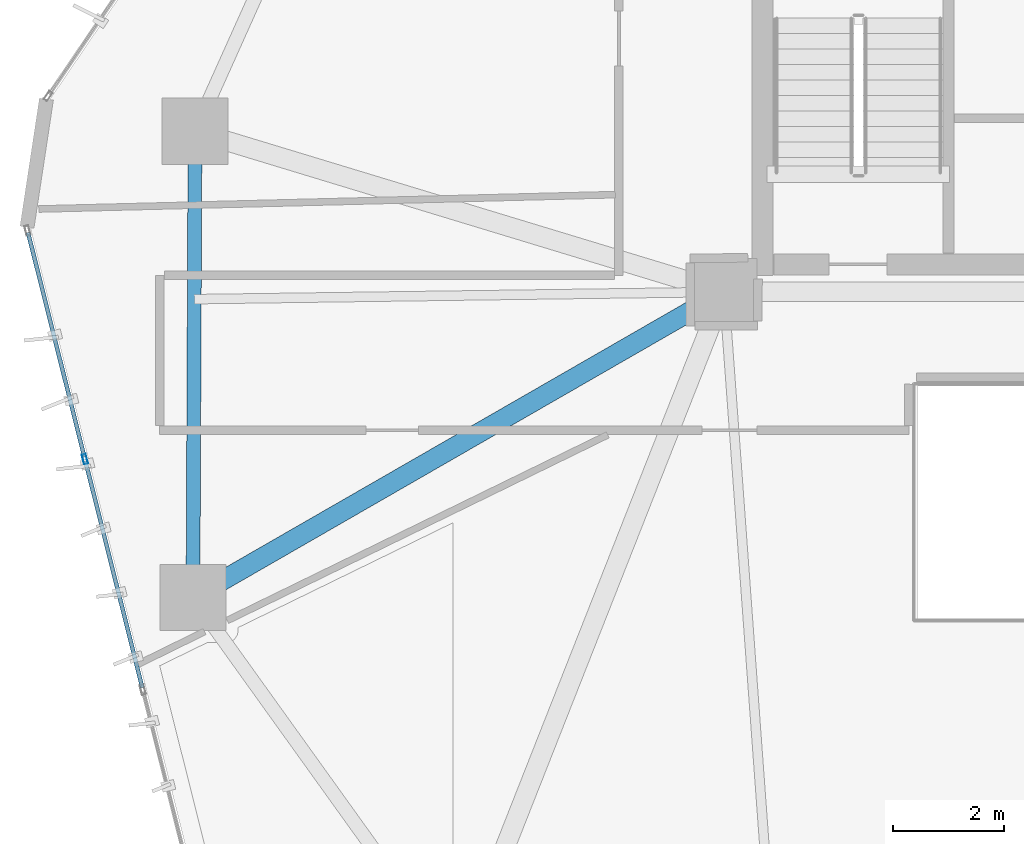
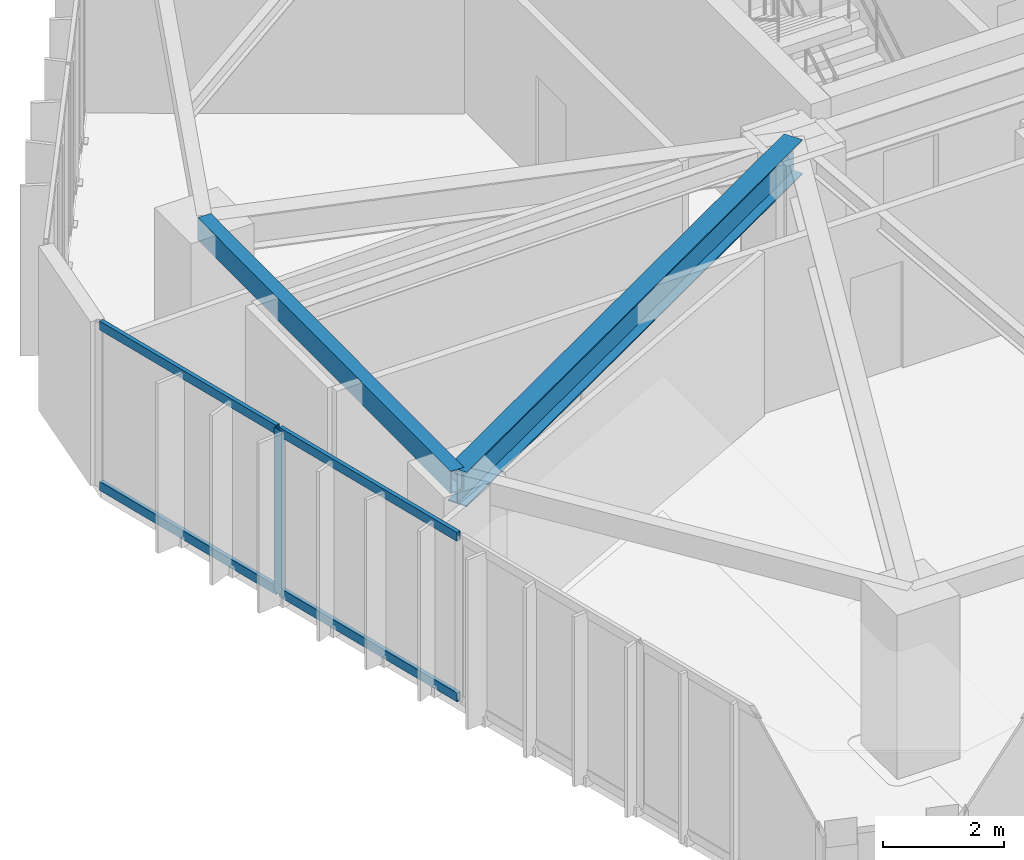
# One storey, part 4 of 22: 5 members, 2 beams, 1 element without a shape of its own.
"""IFC4 building model written with IfcOpenShell, lengths in metres."""

from ifc_helpers import new_model, si_unit, direction, frame, origin, origin_2d, place, context, subcontext, project, spatial, hollow_rectangle, i_section, extrude, source, transform, mapped, material, layer, layer_set, material_profile, profile_set, type_object, type_shapes, element, aggregate, save


model = new_model("IFC4")

# Units and contexts
model_context = context("Model", 3, precision=1e-05, world=origin(), true_north=direction((0.0, 1.0)))
body_context = subcontext(model_context, "Body", "Model", "MODEL_VIEW")
ifc_project = project(units=[si_unit("LENGTHUNIT", "METRE"), si_unit("AREAUNIT", "SQUARE_METRE"), si_unit("VOLUMEUNIT", "CUBIC_METRE"), si_unit("PLANEANGLEUNIT", "RADIAN"), si_unit("MASSUNIT", "GRAM", prefix="KILO")], contexts=[model_context])

# Site, building, storey
site_placement = place(None, origin())
site = spatial("IfcSite", under=ifc_project, at=site_placement, CompositionType="ELEMENT")
building_placement = place(site_placement, origin())
building = spatial("IfcBuilding", under=site, at=building_placement, Name="Talar Marvaseh", CompositionType="ELEMENT")
storey_placement = place(building_placement, frame((0.0, 0.0, 125.39990234375)))
storey = spatial("IfcBuildingStorey", under=building, at=storey_placement, Name="L32", CompositionType="ELEMENT", Elevation=125.39990234375)

# Beams
ifc_material_1 = material(Name="Steel S355", Category="steel")
ifc_material_profile_1 = material_profile(ifc_material_1, hollow_rectangle(XDim=0.25, YDim=0.449951171875, WallThickness=0.01611328125, at=origin_2d()), Name="RHS450x250x16")
ifc_profile_set_1 = profile_set([ifc_material_profile_1], Name="Steel S355")
beam_type_1 = type_object("IfcBeamType", Name="Zone 2 Perimeter Spandrel Beam RHS450x250x16", PredefinedType="SPANDREL", material=ifc_profile_set_1)
beam_1_placement = place(storey_placement, frame((9.10107421875, 19.97705078125, 3.085205078125), z_axis=(0.004375628226, 0.999990426893, 0.0), x_axis=(-0.999990426893, 0.004375628226, 0.0)))
element("IfcBeam", 1, at=beam_1_placement, inside=storey, type_object=beam_type_1, Name="L32 Zone 2 Perimeter Spandrel Beam RHS450x250x16", PredefinedType="SPANDREL", context=body_context, shape_type="SweptSolid", body=[
    extrude(hollow_rectangle(XDim=0.25, YDim=0.449951171875, WallThickness=0.01611328125, at=origin_2d()), origin(), (0.0, 0.0, 1.0), 8.425048828125),
])
ifc_material_profile_2 = material_profile(ifc_material_1, i_section(OverallWidth=0.35498046875, OverallDepth=0.695068359375, WebThickness=0.015380859375, FlangeThickness=0.02490234375, at=origin_2d()), Name="W690x217")
ifc_profile_set_2 = profile_set([ifc_material_profile_2], Name="Steel S355")
beam_type_2 = type_object("IfcBeamType", Name="Zone 2 Radial Floor Girder W690x217", PredefinedType="BEAM", material=ifc_profile_set_2)
beam_2_placement = place(storey_placement, frame((9.10107421875, 19.97705078125, 2.962646484375), z_axis=(0.866765990926, 0.498715065919, 0.0), x_axis=(-0.498715065919, 0.866765990926, 0.0)))
element("IfcBeam", 2, at=beam_2_placement, inside=storey, type_object=beam_type_2, Name="L32 Zone 2 Radial Floor Girder W690x217", PredefinedType="BEAM", context=body_context, shape_type="SweptSolid", body=[
    extrude(i_section(OverallWidth=0.35498046875, OverallDepth=0.695068359375, WebThickness=0.015380859375, FlangeThickness=0.02490234375, at=origin_2d()), origin(), (0.0, 0.0, 1.0), 11.074462890625),
])

# Curtain wall, members
ifc_material_2 = material(Name="Architectural Aluminium", Category="aluminium")
ifc_layer = layer(ifc_material_2, 0.199951171875)
ifc_layer_set = layer_set([ifc_layer], Name="Architectural Aluminium")
curtain_wall_type = type_object("IfcCurtainWallType", Name="Unitised Acoustic Library Curtain Wall Z2", PredefinedType="NOTDEFINED", material=ifc_layer_set)
curtain_wall_placement = place(storey_placement, origin())
curtain_wall = element("IfcCurtainWall", 3, at=curtain_wall_placement, inside=storey, type_object=curtain_wall_type, Name="L32 Unitised Acoustic Library Curtain Wall Z2", PredefinedType="NOTDEFINED")
ifc_material_profile_3 = material_profile(ifc_material_2, hollow_rectangle(XDim=0.074951171875, YDim=0.179931640625, WallThickness=0.0048828125, at=origin_2d()), Name="RHS180x75x5")
ifc_profile_set_3 = profile_set([ifc_material_profile_3], Name="Architectural Aluminium")
member_type_1 = type_object("IfcMemberType", Name="Unitised Curtain Wall Standard Mullion RHS180x75x5", PredefinedType="MULLION", material=ifc_profile_set_3)
shared_shape_1 = source(origin(), body_context, "Body", "SweptSolid", [
    extrude(hollow_rectangle(XDim=0.074951171875, YDim=0.179931640625, WallThickness=0.0048828125, at=origin_2d()), origin(), (0.0, 0.0, 1.0), 3.31005859375),
])
type_shapes(member_type_1, [shared_shape_1])
member_1_placement = place(storey_placement, frame((7.14794921875, 22.478515625, 0.0), z_axis=(0.0, 0.0, 1.0), x_axis=(-0.96988842573, -0.243549669748, 0.0)))
member_1 = element("IfcMember", 4, at=member_1_placement, type_object=member_type_1, Name="CW-Z2 mullion 4", PredefinedType="MULLION", context=body_context, shape_type="MappedRepresentation", body=[
    mapped(shared_shape_1, transform((0.0, 0.0, 0.0), x_axis=(1.0, 0.0, 0.0), y_axis=(0.0, 1.0, 0.0), z_axis=(0.0, 0.0, 1.0), scale=1.0)),
])
ifc_material_profile_4 = material_profile(ifc_material_2, hollow_rectangle(XDim=0.074951171875, YDim=0.179931640625, WallThickness=0.0048828125, at=origin_2d()), Name="RHS180x75x5")
ifc_profile_set_4 = profile_set([ifc_material_profile_4], Name="Architectural Aluminium")
member_type_2 = type_object("IfcMemberType", Name="Unitised Curtain Wall Transom RHS180x75x5", PredefinedType="USERDEFINED", material=ifc_profile_set_4)
shared_shape_2 = source(origin(), body_context, "Body", "SweptSolid", [
    extrude(hollow_rectangle(XDim=0.074951171875, YDim=0.179931640625, WallThickness=0.0048828125, at=origin_2d()), origin(), (0.0, 0.0, 1.0), 4.185302734375),
])
member_2_placement = place(storey_placement, frame((7.138671875, 22.514892578125, 0.03759765625), z_axis=(-0.243537439079, 0.969891496904, 0.0), x_axis=(-0.969891496904, -0.243537439079, 0.0)))
member_2 = element("IfcMember", 5, at=member_2_placement, type_object=member_type_2, Name="CW-Z2 transom 4.1", ObjectType="TRANSOM", PredefinedType="USERDEFINED", context=body_context, shape_type="MappedRepresentation", body=[
    mapped(shared_shape_2, transform((0.0, 0.0, 0.0), x_axis=(1.0, 0.0, 0.0), y_axis=(0.0, 1.0, 0.0), z_axis=(0.0, 0.0, 1.0), scale=1.0)),
])
member_3_placement = place(storey_placement, frame((7.138671875, 22.514892578125, 3.272705078125), z_axis=(-0.243537439079, 0.969891496904, 0.0), x_axis=(-0.969891496904, -0.243537439079, 0.0)))
member_3 = element("IfcMember", 6, at=member_3_placement, type_object=member_type_2, Name="CW-Z2 transom 4.2", ObjectType="TRANSOM", PredefinedType="USERDEFINED", context=body_context, shape_type="MappedRepresentation", body=[
    mapped(shared_shape_2, transform((0.0, 0.0, 0.0), x_axis=(1.0, 0.0, 0.0), y_axis=(0.0, 1.0, 0.0), z_axis=(0.0, 0.0, 1.0), scale=1.0)),
])
shared_shape_3 = source(origin(), body_context, "Body", "SweptSolid", [
    extrude(hollow_rectangle(XDim=0.074951171875, YDim=0.179931640625, WallThickness=0.0048828125, at=origin_2d()), origin(), (0.0, 0.0, 1.0), 4.222900390625),
])
type_shapes(member_type_2, [shared_shape_2, shared_shape_3])
member_4_placement = place(storey_placement, frame((8.185546875, 18.346435546875, 0.03759765625), z_axis=(-0.243569333221, 0.969883487804, 0.0), x_axis=(-0.969883487804, -0.243569333221, 0.0)))
member_4 = element("IfcMember", 7, at=member_4_placement, type_object=member_type_2, Name="CW-Z2 transom 3.1", ObjectType="TRANSOM", PredefinedType="USERDEFINED", context=body_context, shape_type="MappedRepresentation", body=[
    mapped(shared_shape_3, transform((0.0, 0.0, 0.0), x_axis=(1.0, 0.0, 0.0), y_axis=(0.0, 1.0, 0.0), z_axis=(0.0, 0.0, 1.0), scale=1.0)),
])
member_5_placement = place(storey_placement, frame((8.185546875, 18.346435546875, 3.272705078125), z_axis=(-0.243569333221, 0.969883487804, 0.0), x_axis=(-0.969883487804, -0.243569333221, 0.0)))
member_5 = element("IfcMember", 8, at=member_5_placement, type_object=member_type_2, Name="CW-Z2 transom 3.2", ObjectType="TRANSOM", PredefinedType="USERDEFINED", context=body_context, shape_type="MappedRepresentation", body=[
    mapped(shared_shape_3, transform((0.0, 0.0, 0.0), x_axis=(1.0, 0.0, 0.0), y_axis=(0.0, 1.0, 0.0), z_axis=(0.0, 0.0, 1.0), scale=1.0)),
])
aggregate(curtain_wall, [member_1, member_4, member_5, member_2, member_3])

save(model, "model.ifc")
